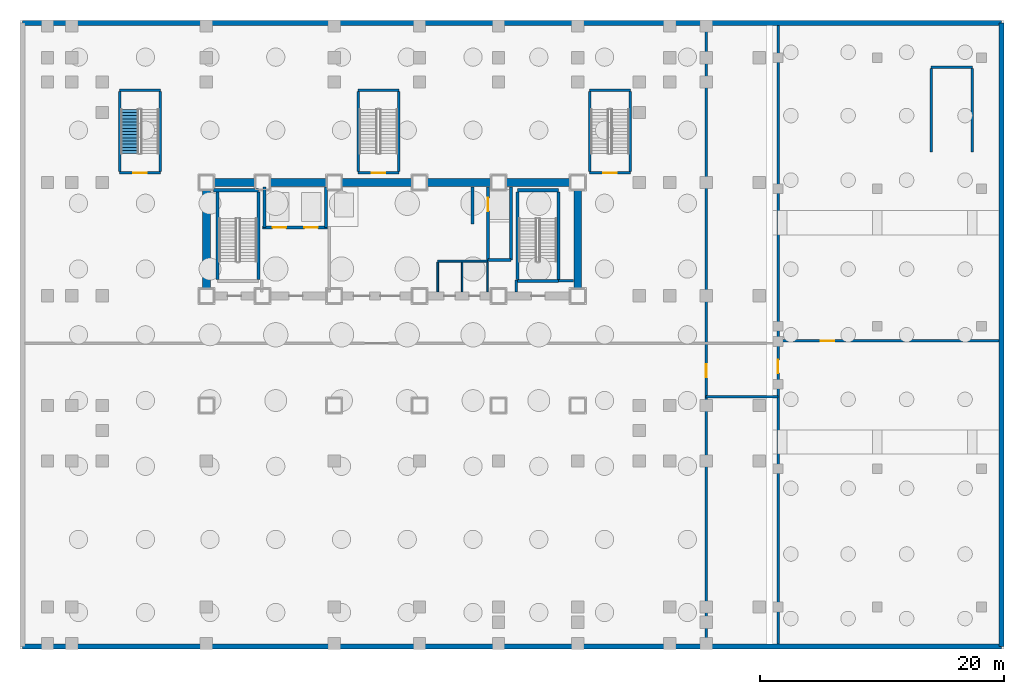
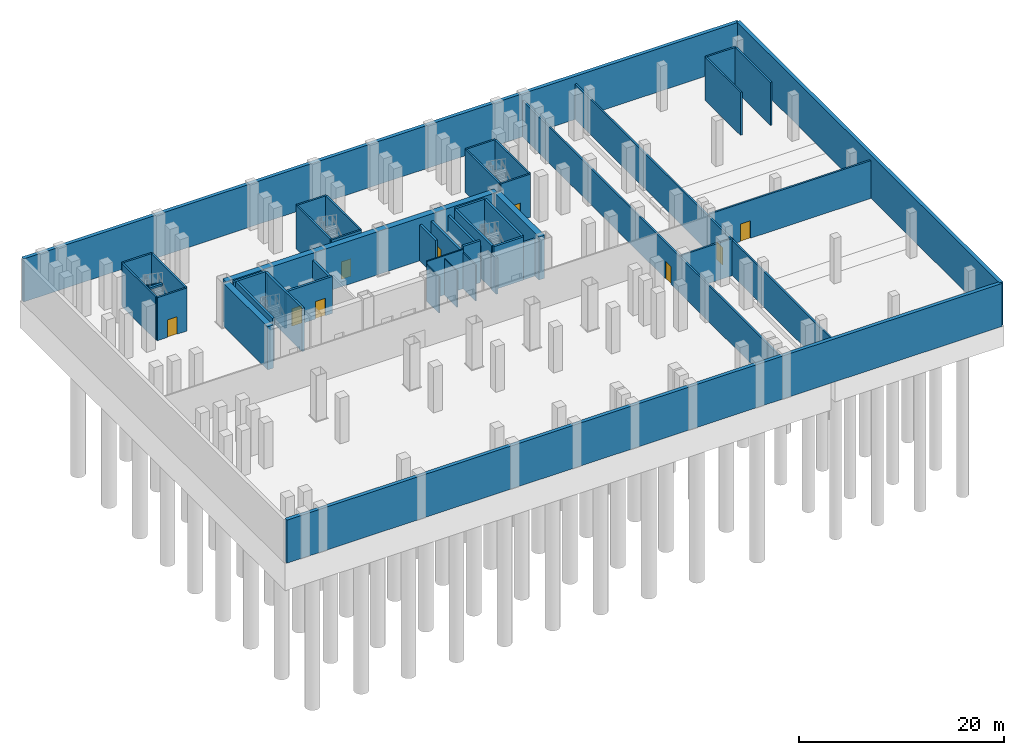
# One storey, part 4 of 8: 45 walls, 9 doors, 1 stair flight, 9 openings, 1 element without a shape of its own.
"""IFC4 building model written with IfcOpenShell, lengths in metres."""

from ifc_helpers import new_model, si_unit, direction, frame, frame_2d, origin, place, context, subcontext, project, spatial, polyline, rectangle, outline, extrude, material, layer, layer_set, type_object, element, fill, aggregate, save


model = new_model("IFC4")

# Units and contexts
model_context = context("Model", 3, precision=1e-05, world=origin(), true_north=direction((0.0, 1.0)))
body_context = subcontext(model_context, "Body", "Model", "MODEL_VIEW")
ifc_project = project(units=[si_unit("LENGTHUNIT", "METRE"), si_unit("AREAUNIT", "SQUARE_METRE"), si_unit("VOLUMEUNIT", "CUBIC_METRE"), si_unit("PLANEANGLEUNIT", "RADIAN"), si_unit("MASSUNIT", "GRAM", prefix="KILO")], contexts=[model_context])

# Site, building, storey
site_placement = place(None, origin())
site = spatial("IfcSite", under=ifc_project, at=site_placement, CompositionType="ELEMENT")
building_placement = place(site_placement, origin())
building = spatial("IfcBuilding", under=site, at=building_placement, Name="Noeulbin Bourse Tower", CompositionType="ELEMENT")
storey_placement = place(building_placement, frame((0.0, 0.0, -15.60009765625)))
storey = spatial("IfcBuildingStorey", under=building, at=storey_placement, Name="B03", CompositionType="ELEMENT", Elevation=-15.60009765625)

# Walls
ifc_material_1 = material(Name="Concrete C60/75", Category="concrete")
ifc_layer_1 = layer(ifc_material_1, 0.64990234375)
ifc_layer_set_1 = layer_set([ifc_layer_1], Name="Concrete C60/75")
wall_type_1 = type_object("IfcWallType", Name="WAL-CORE-650", PredefinedType="SHEAR", material=ifc_layer_set_1)
wall_1_placement = place(storey_placement, frame((13.5, 38.300048828125, 0.0), z_axis=(0.0, 0.0, 1.0), x_axis=(1.0, 0.0, 0.0)))
element("IfcWall", 1, at=wall_1_placement, inside=storey, type_object=wall_type_1, Name="Rear Core North Shear Wall B03", PredefinedType="SHEAR", context=body_context, shape_type="SweptSolid", body=[
    extrude(rectangle(XDim=30.5, YDim=0.64990234375, at=frame_2d((15.25, 0.0))), origin(), (0.0, 0.0, 1.0), 5.1201171875),
])
for number, where, z_axis, x_axis, name in (
    (2, (13.5, 29.35009765625, 0.0), (0.0, 0.0, 1.0), (0.0, 1.0, 0.0), "Rear Core West Shear Wall B03"),
    (3, (44.0, 29.35009765625, 0.0), (0.0, 0.0, 1.0), (0.0, 1.0, 0.0), "Rear Core East Shear Wall B03"),
):
    element("IfcWall", number, at=place(storey_placement, frame(where, z_axis=z_axis, x_axis=x_axis)), inside=storey, type_object=wall_type_1, Name=name, PredefinedType="SHEAR", context=body_context, shape_type="SweptSolid", body=[
        extrude(rectangle(XDim=8.599853515625, YDim=0.64990234375, at=frame_2d((4.2998046875, 0.0))), origin(), (0.0, 0.0, 1.0), 5.1201171875),
    ])
ifc_material_2 = material(Name="Concrete C40/50", Category="concrete")
ifc_layer_2 = layer(ifc_material_2, 0.199951171875)
ifc_layer_set_2 = layer_set([ifc_layer_2], Name="Concrete C40/50")
wall_type_2 = type_object("IfcWallType", Name="WAL-FIRE-200", PredefinedType="STANDARD", material=ifc_layer_set_2)
wall_2_placement = place(storey_placement, frame((73.02001953125, 47.760009765625, 0.0), z_axis=(0.0, 0.0, 1.0), x_axis=(1.0, 0.0, 0.0)))
element("IfcWall", 4, at=wall_2_placement, inside=storey, type_object=wall_type_2, Name="Stair MST2 Substructure Shear Pier N B03", PredefinedType="STANDARD", context=body_context, shape_type="SweptSolid", body=[
    extrude(rectangle(XDim=3.39990234375, YDim=0.199951171875, at=frame_2d((1.699951171875, 0.0))), origin(), (0.0, 0.0, 1.0), 5.1201171875),
])
for number, where, z_axis, x_axis, name in (
    (5, (73.0400390625, 40.800048828125, 0.0), (0.0, 0.0, 1.0), (0.0, 1.0, 0.0), "Stair MST2 Substructure Shear Pier W B03"),
    (6, (76.39990234375, 40.800048828125, 0.0), (0.0, 0.0, 1.0), (0.0, 1.0, 0.0), "Stair MST2 Substructure Shear Pier E B03"),
):
    element("IfcWall", number, at=place(storey_placement, frame(where, z_axis=z_axis, x_axis=x_axis)), inside=storey, type_object=wall_type_2, Name=name, PredefinedType="STANDARD", context=body_context, shape_type="SweptSolid", body=[
        extrude(rectangle(XDim=6.85986328125, YDim=0.199951171875, at=frame_2d((3.429931640625, 0.0))), origin(), (0.0, 0.0, 1.0), 5.1201171875),
    ])

# Wall, opening, door
wall_3_placement = place(storey_placement, frame((6.360107421875, 39.10009765625, 0.0), z_axis=(0.0, 0.0, 1.0), x_axis=(1.0, 0.0, 0.0)))
wall_3 = element("IfcWall", 7, at=wall_3_placement, inside=storey, type_object=wall_type_2, Name="Stair STS1 South Wall B03", PredefinedType="STANDARD", context=body_context, shape_type="SweptSolid", body=[
    extrude(rectangle(XDim=3.35986328125, YDim=0.199951171875, at=frame_2d((1.679931640625, 0.0))), origin(), (0.0, 0.0, 1.0), 5.1201171875),
])
opening_1_placement = place(wall_3_placement, frame((1.1298828125, 0.0, 0.0)))
opening_1 = element("IfcOpeningElement", 8, at=opening_1_placement, cuts=wall_3, Name="Opening FD-11", PredefinedType="OPENING", context=body_context, shape_type="SweptSolid", body=[
    extrude(rectangle(XDim=1.10009765625, YDim=2.080078125, at=frame_2d((0.550048828125, 1.0400390625))), frame((0.0, 0.10986328125, 0.0), z_axis=(0.0, -1.0, 0.0), x_axis=(1.0, 0.0, 0.0)), (0.0, 0.0, 1.0), 0.219970703125),
])
ifc_material_3 = material(Name="Fire-Rated Insulated Steel", Category="steel")
door_type_1 = type_object("IfcDoorType", Name="DR-FD60-1100", OperationType="SINGLE_SWING_LEFT", PredefinedType="DOOR", material=ifc_material_3)
door_1_placement = place(opening_1_placement, origin())
door_1 = element("IfcDoor", 9, at=door_1_placement, inside=storey, type_object=door_type_1, Name="Escape Stair Door STS1-B03", OperationType="SINGLE_SWING_RIGHT", OverallHeight=2.080078125, OverallWidth=1.10009765625, PredefinedType="DOOR", context=body_context, shape_type="SweptSolid", body=[
    extrude(rectangle(XDim=1.10009765625, YDim=2.080078125, at=frame_2d((0.550048828125, 1.0400390625))), frame((0.0, 0.02490234375, 0.0), z_axis=(0.0, -1.0, 0.0), x_axis=(1.0, 0.0, 0.0)), (0.0, 0.0, 1.0), 0.050048828125),
])
fill(opening_1, door_1)

# Walls
wall_4_placement = place(storey_placement, frame((6.360107421875, 45.8798828125, 0.0), z_axis=(0.0, 0.0, 1.0), x_axis=(1.0, 0.0, 0.0)))
element("IfcWall", 10, at=wall_4_placement, inside=storey, type_object=wall_type_2, Name="Stair STS1 North Wall B03", PredefinedType="STANDARD", context=body_context, shape_type="SweptSolid", body=[
    extrude(rectangle(XDim=3.35986328125, YDim=0.199951171875, at=frame_2d((1.679931640625, 0.0))), origin(), (0.0, 0.0, 1.0), 5.1201171875),
])
for number, where, z_axis, x_axis, name in (
    (11, (6.3798828125, 39.199951171875, 0.0), (0.0, 0.0, 1.0), (0.0, 1.0, 0.0), "Stair STS1 West Wall B03"),
    (12, (9.699951171875, 39.199951171875, 0.0), (0.0, 0.0, 1.0), (0.0, 1.0, 0.0), "Stair STS1 East Wall B03"),
):
    element("IfcWall", number, at=place(storey_placement, frame(where, z_axis=z_axis, x_axis=x_axis)), inside=storey, type_object=wall_type_2, Name=name, PredefinedType="STANDARD", context=body_context, shape_type="SweptSolid", body=[
        extrude(rectangle(XDim=6.580078125, YDim=0.199951171875, at=frame_2d((3.2900390625, 0.0))), origin(), (0.0, 0.0, 1.0), 5.1201171875),
    ])

# Wall, opening, door
wall_5_placement = place(storey_placement, frame((25.9599609375, 39.10009765625, 0.0), z_axis=(0.0, 0.0, 1.0), x_axis=(1.0, 0.0, 0.0)))
wall_5 = element("IfcWall", 13, at=wall_5_placement, inside=storey, type_object=wall_type_2, Name="Stair STS2 South Wall B03", PredefinedType="STANDARD", context=body_context, shape_type="SweptSolid", body=[
    extrude(rectangle(XDim=3.360107421875, YDim=0.199951171875, at=frame_2d((1.68017578125, 0.0))), origin(), (0.0, 0.0, 1.0), 5.1201171875),
])
opening_2_placement = place(wall_5_placement, frame((1.1298828125, 0.0, 0.0)))
opening_2 = element("IfcOpeningElement", 14, at=opening_2_placement, cuts=wall_5, Name="Opening FD-11", PredefinedType="OPENING", context=body_context, shape_type="SweptSolid", body=[
    extrude(rectangle(XDim=1.10009765625, YDim=2.080078125, at=frame_2d((0.550048828125, 1.0400390625))), frame((0.0, 0.10986328125, 0.0), z_axis=(0.0, -1.0, 0.0), x_axis=(1.0, 0.0, 0.0)), (0.0, 0.0, 1.0), 0.219970703125),
])
door_2_placement = place(opening_2_placement, origin())
door_2 = element("IfcDoor", 15, at=door_2_placement, inside=storey, type_object=door_type_1, Name="Escape Stair Door STS2-B03", OperationType="SINGLE_SWING_RIGHT", OverallHeight=2.080078125, OverallWidth=1.10009765625, PredefinedType="DOOR", context=body_context, shape_type="SweptSolid", body=[
    extrude(rectangle(XDim=1.10009765625, YDim=2.080078125, at=frame_2d((0.550048828125, 1.0400390625))), frame((0.0, 0.02490234375, 0.0), z_axis=(0.0, -1.0, 0.0), x_axis=(1.0, 0.0, 0.0)), (0.0, 0.0, 1.0), 0.050048828125),
])
fill(opening_2, door_2)

# Walls
wall_6_placement = place(storey_placement, frame((25.9599609375, 45.8798828125, 0.0), z_axis=(0.0, 0.0, 1.0), x_axis=(1.0, 0.0, 0.0)))
element("IfcWall", 16, at=wall_6_placement, inside=storey, type_object=wall_type_2, Name="Stair STS2 North Wall B03", PredefinedType="STANDARD", context=body_context, shape_type="SweptSolid", body=[
    extrude(rectangle(XDim=3.360107421875, YDim=0.199951171875, at=frame_2d((1.68017578125, 0.0))), origin(), (0.0, 0.0, 1.0), 5.1201171875),
])
for number, where, z_axis, x_axis, name in (
    (17, (25.97998046875, 39.199951171875, 0.0), (0.0, 0.0, 1.0), (0.0, 1.0, 0.0), "Stair STS2 West Wall B03"),
    (18, (29.300048828125, 39.199951171875, 0.0), (0.0, 0.0, 1.0), (0.0, 1.0, 0.0), "Stair STS2 East Wall B03"),
):
    element("IfcWall", number, at=place(storey_placement, frame(where, z_axis=z_axis, x_axis=x_axis)), inside=storey, type_object=wall_type_2, Name=name, PredefinedType="STANDARD", context=body_context, shape_type="SweptSolid", body=[
        extrude(rectangle(XDim=6.580078125, YDim=0.199951171875, at=frame_2d((3.2900390625, 0.0))), origin(), (0.0, 0.0, 1.0), 5.1201171875),
    ])

# Wall, opening, door
wall_7_placement = place(storey_placement, frame((44.9599609375, 39.10009765625, 0.0), z_axis=(0.0, 0.0, 1.0), x_axis=(1.0, 0.0, 0.0)))
wall_7 = element("IfcWall", 19, at=wall_7_placement, inside=storey, type_object=wall_type_2, Name="Stair STS3 South Wall B03", PredefinedType="STANDARD", context=body_context, shape_type="SweptSolid", body=[
    extrude(rectangle(XDim=3.360107421875, YDim=0.199951171875, at=frame_2d((1.68017578125, 0.0))), origin(), (0.0, 0.0, 1.0), 5.1201171875),
])
opening_3_placement = place(wall_7_placement, frame((1.1298828125, 0.0, 0.0)))
opening_3 = element("IfcOpeningElement", 20, at=opening_3_placement, cuts=wall_7, Name="Opening FD-11", PredefinedType="OPENING", context=body_context, shape_type="SweptSolid", body=[
    extrude(rectangle(XDim=1.10009765625, YDim=2.080078125, at=frame_2d((0.550048828125, 1.0400390625))), frame((0.0, 0.10986328125, 0.0), z_axis=(0.0, -1.0, 0.0), x_axis=(1.0, 0.0, 0.0)), (0.0, 0.0, 1.0), 0.219970703125),
])
door_3_placement = place(opening_3_placement, origin())
door_3 = element("IfcDoor", 21, at=door_3_placement, inside=storey, type_object=door_type_1, Name="Escape Stair Door STS3-B03", OperationType="SINGLE_SWING_RIGHT", OverallHeight=2.080078125, OverallWidth=1.10009765625, PredefinedType="DOOR", context=body_context, shape_type="SweptSolid", body=[
    extrude(rectangle(XDim=1.10009765625, YDim=2.080078125, at=frame_2d((0.550048828125, 1.0400390625))), frame((0.0, 0.02490234375, 0.0), z_axis=(0.0, -1.0, 0.0), x_axis=(1.0, 0.0, 0.0)), (0.0, 0.0, 1.0), 0.050048828125),
])
fill(opening_3, door_3)

# Walls
wall_8_placement = place(storey_placement, frame((44.9599609375, 45.8798828125, 0.0), z_axis=(0.0, 0.0, 1.0), x_axis=(1.0, 0.0, 0.0)))
element("IfcWall", 22, at=wall_8_placement, inside=storey, type_object=wall_type_2, Name="Stair STS3 North Wall B03", PredefinedType="STANDARD", context=body_context, shape_type="SweptSolid", body=[
    extrude(rectangle(XDim=3.360107421875, YDim=0.199951171875, at=frame_2d((1.68017578125, 0.0))), origin(), (0.0, 0.0, 1.0), 5.1201171875),
])
for number, where, z_axis, x_axis, name in (
    (23, (44.97998046875, 39.199951171875, 0.0), (0.0, 0.0, 1.0), (0.0, 1.0, 0.0), "Stair STS3 West Wall B03"),
    (24, (48.300048828125, 39.199951171875, 0.0), (0.0, 0.0, 1.0), (0.0, 1.0, 0.0), "Stair STS3 East Wall B03"),
):
    element("IfcWall", number, at=place(storey_placement, frame(where, z_axis=z_axis, x_axis=x_axis)), inside=storey, type_object=wall_type_2, Name=name, PredefinedType="STANDARD", context=body_context, shape_type="SweptSolid", body=[
        extrude(rectangle(XDim=6.580078125, YDim=0.199951171875, at=frame_2d((3.2900390625, 0.0))), origin(), (0.0, 0.0, 1.0), 5.1201171875),
    ])
wall_9_placement = place(storey_placement, frame((54.550048828125, 20.699951171875, 0.0), z_axis=(0.0, 0.0, 1.0), x_axis=(1.0, 0.0, 0.0)))
element("IfcWall", 25, at=wall_9_placement, inside=storey, type_object=wall_type_2, Name="Interior Partition Wall B03-02", PredefinedType="STANDARD", context=body_context, shape_type="SweptSolid", body=[
    extrude(rectangle(XDim=5.89990234375, YDim=0.199951171875, at=frame_2d((2.949951171875, 0.0))), origin(), (0.0, 0.0, 1.0), 4.400146484375),
])

# Wall, opening, door
wall_10_placement = place(storey_placement, frame((60.449951171875, 25.300048828125, 0.0), z_axis=(0.0, 0.0, 1.0), x_axis=(1.0, 0.0, 0.0)))
wall_10 = element("IfcWall", 26, at=wall_10_placement, inside=storey, type_object=wall_type_2, Name="Interior Partition Wall B03-03", PredefinedType="STANDARD", context=body_context, shape_type="SweptSolid", body=[
    extrude(rectangle(XDim=18.150146484375, YDim=0.199951171875, at=frame_2d((9.0751953125, 0.0))), origin(), (0.0, 0.0, 1.0), 4.5),
])
opening_4_placement = place(wall_10_placement, frame((3.5, 0.0, 0.0)))
opening_4 = element("IfcOpeningElement", 27, at=opening_4_placement, cuts=wall_10, Name="Opening FD-11", PredefinedType="OPENING", context=body_context, shape_type="SweptSolid", body=[
    extrude(rectangle(XDim=1.10009765625, YDim=2.080078125, at=frame_2d((0.550048828125, 1.0400390625))), frame((0.0, 0.10986328125, 0.0), z_axis=(0.0, -1.0, 0.0), x_axis=(1.0, 0.0, 0.0)), (0.0, 0.0, 1.0), 0.219970703125),
])
door_4_placement = place(opening_4_placement, origin())
door_4 = element("IfcDoor", 28, at=door_4_placement, inside=storey, type_object=door_type_1, Name="Interior Door B03-04", OperationType="SINGLE_SWING_LEFT", OverallHeight=2.080078125, OverallWidth=1.10009765625, PredefinedType="DOOR", context=body_context, shape_type="SweptSolid", body=[
    extrude(rectangle(XDim=1.10009765625, YDim=2.080078125, at=frame_2d((0.550048828125, 1.0400390625))), frame((0.0, 0.02490234375, 0.0), z_axis=(0.0, -1.0, 0.0), x_axis=(1.0, 0.0, 0.0)), (0.0, 0.0, 1.0), 0.050048828125),
])
fill(opening_4, door_4)

# Wall
wall_11_placement = place(storey_placement, frame((42.39990234375, 30.239990234375, 0.0), z_axis=(0.0, 0.0, 1.0), x_axis=(1.0, 0.0, 0.0)))
element("IfcWall", 29, at=wall_11_placement, inside=storey, type_object=wall_type_2, Name="Interior Partition Wall B03-04", PredefinedType="STANDARD", context=body_context, shape_type="SweptSolid", body=[
    extrude(rectangle(XDim=1.26513671875, YDim=0.199951171875, at=frame_2d((0.632568359375, 0.0))), origin(), (0.0, 0.0, 1.0), 4.400146484375),
])

# Wall, opening, door
wall_12_placement = place(storey_placement, frame((54.550048828125, 0.39990234375, 0.0), z_axis=(0.0, 0.0, 1.0), x_axis=(0.0, 1.0, 0.0)))
wall_12 = element("IfcWall", 30, at=wall_12_placement, inside=storey, type_object=wall_type_2, Name="Interior Partition Wall B03-06", PredefinedType="STANDARD", context=body_context, shape_type="SweptSolid", body=[
    extrude(rectangle(XDim=50.800048828125, YDim=0.199951171875, at=frame_2d((25.39990234375, 0.0))), origin(), (0.0, 0.0, 1.0), 4.300048828125),
])
opening_5_placement = place(wall_12_placement, frame((21.89990234375, 0.0, 0.0)))
opening_5 = element("IfcOpeningElement", 31, at=opening_5_placement, cuts=wall_12, Name="Opening FD-11", PredefinedType="OPENING", context=body_context, shape_type="SweptSolid", body=[
    extrude(rectangle(XDim=1.10009765625, YDim=2.080078125, at=frame_2d((0.550048828125, 1.0400390625))), frame((0.0, 0.10986328125, 0.0), z_axis=(0.0, -1.0, 0.0), x_axis=(1.0, 0.0, 0.0)), (0.0, 0.0, 1.0), 0.219970703125),
])
door_5_placement = place(opening_5_placement, origin())
door_5 = element("IfcDoor", 32, at=door_5_placement, inside=storey, type_object=door_type_1, Name="Interior Door B03-02", OperationType="SINGLE_SWING_LEFT", OverallHeight=2.080078125, OverallWidth=1.10009765625, PredefinedType="DOOR", context=body_context, shape_type="SweptSolid", body=[
    extrude(rectangle(XDim=1.10009765625, YDim=2.080078125, at=frame_2d((0.550048828125, 1.0400390625))), frame((0.0, 0.02490234375, 0.0), z_axis=(0.0, -1.0, 0.0), x_axis=(1.0, 0.0, 0.0)), (0.0, 0.0, 1.0), 0.050048828125),
])
fill(opening_5, door_5)

wall_13_placement = place(storey_placement, frame((60.449951171875, 0.39990234375, 0.0), z_axis=(0.0, 0.0, 1.0), x_axis=(0.0, 1.0, 0.0)))
wall_13 = element("IfcWall", 33, at=wall_13_placement, inside=storey, type_object=wall_type_2, Name="Interior Partition Wall B03-07", PredefinedType="STANDARD", context=body_context, shape_type="SweptSolid", body=[
    extrude(rectangle(XDim=50.800048828125, YDim=0.199951171875, at=frame_2d((25.39990234375, 0.0))), origin(), (0.0, 0.0, 1.0), 4.2001953125),
])
opening_6_placement = place(wall_13_placement, frame((22.25, 0.0, 0.0)))
opening_6 = element("IfcOpeningElement", 34, at=opening_6_placement, cuts=wall_13, Name="Opening FD-11", PredefinedType="OPENING", context=body_context, shape_type="SweptSolid", body=[
    extrude(rectangle(XDim=1.10009765625, YDim=2.080078125, at=frame_2d((0.550048828125, 1.0400390625))), frame((0.0, 0.10986328125, 0.0), z_axis=(0.0, -1.0, 0.0), x_axis=(1.0, 0.0, 0.0)), (0.0, 0.0, 1.0), 0.219970703125),
])
door_6_placement = place(opening_6_placement, origin())
door_6 = element("IfcDoor", 35, at=door_6_placement, inside=storey, type_object=door_type_1, Name="Interior Door B03-03", OperationType="SINGLE_SWING_RIGHT", OverallHeight=2.080078125, OverallWidth=1.10009765625, PredefinedType="DOOR", context=body_context, shape_type="SweptSolid", body=[
    extrude(rectangle(XDim=1.10009765625, YDim=2.080078125, at=frame_2d((0.550048828125, 1.0400390625))), frame((0.0, 0.02490234375, 0.0), z_axis=(0.0, -1.0, 0.0), x_axis=(1.0, 0.0, 0.0)), (0.0, 0.0, 1.0), 0.050048828125),
])
fill(opening_6, door_6)

# Walls
wall_14_placement = place(storey_placement, frame((38.949951171875, 29.3349609375, 0.0), z_axis=(0.0, 0.0, 1.0), x_axis=(0.0, 1.0, 0.0)))
element("IfcWall", 36, at=wall_14_placement, inside=storey, type_object=wall_type_2, Name="Interior Partition Wall B03-09", PredefinedType="STANDARD", context=body_context, shape_type="SweptSolid", body=[
    extrude(rectangle(XDim=0.965087890625, YDim=0.199951171875, at=frame_2d((0.482421875, 0.0))), origin(), (0.0, 0.0, 1.0), 4.300048828125),
])
ifc_material_4 = material(Name="Steel Stud Gypsum Partition", Category="steel")
ifc_layer_3 = layer(ifc_material_4, 0.1201171875)
ifc_layer_set_3 = layer_set([ifc_layer_3], Name="Steel Stud Gypsum Partition")
wall_type_3 = type_object("IfcWallType", Name="WAL-PRT-120", PredefinedType="PARTITIONING", material=ifc_layer_set_3)
for number, where, z_axis, x_axis, name in (
    (37, (36.60009765625, 29.3349609375, 0.0), (0.0, 0.0, 1.0), (0.0, 1.0, 0.0), "Interior Partition Wall B03-12"),
    (38, (34.5, 29.3349609375, 0.0), (0.0, 0.0, 1.0), (0.0, 1.0, 0.0), "Interior Partition Wall B03-13"),
):
    element("IfcWall", number, at=place(storey_placement, frame(where, z_axis=z_axis, x_axis=x_axis)), inside=storey, type_object=wall_type_3, Name=name, PredefinedType="PARTITIONING", context=body_context, shape_type="SweptSolid", body=[
        extrude(rectangle(XDim=2.429931640625, YDim=0.1201171875, at=frame_2d((1.21484375, 0.0))), origin(), (0.0, 0.0, 1.0), 4.300048828125),
    ])
ifc_material_5 = material(Name="Steel Stud Acoustic Gypsum Board", Category="steel")
ifc_layer_4 = layer(ifc_material_5, 0.14990234375)
ifc_layer_set_4 = layer_set([ifc_layer_4], Name="Steel Stud Acoustic Gypsum Board")
wall_type_4 = type_object("IfcWallType", Name="WAL-PRT-150", PredefinedType="PARTITIONING", material=ifc_layer_set_4)
wall_15_placement = place(storey_placement, frame((32.5, 31.85009765625, 0.0), z_axis=(0.0, 0.0, 1.0), x_axis=(1.0, 0.0, 0.0)))
element("IfcWall", 39, at=wall_15_placement, inside=storey, type_object=wall_type_4, Name="Interior Partition Wall B03-05", PredefinedType="PARTITIONING", context=body_context, shape_type="SweptSolid", body=[
    extrude(rectangle(XDim=4.10009765625, YDim=0.14990234375, at=frame_2d((2.050048828125, 0.0))), origin(), (0.0, 0.0, 1.0), 4.650146484375),
])
wall_16_placement = place(storey_placement, frame((32.5, 29.3349609375, 0.0), z_axis=(0.0, 0.0, 1.0), x_axis=(0.0, 1.0, 0.0)))
element("IfcWall", 40, at=wall_16_placement, inside=storey, type_object=wall_type_4, Name="Interior Partition Wall B03-11", PredefinedType="PARTITIONING", context=body_context, shape_type="SweptSolid", body=[
    extrude(rectangle(XDim=2.429931640625, YDim=0.14990234375, at=frame_2d((1.21484375, 0.0))), origin(), (0.0, 0.0, 1.0), 4.300048828125),
])
ifc_material_6 = material(Name="Concrete C50/60", Category="concrete")
ifc_layer_5 = layer(ifc_material_6, 0.39990234375)
ifc_layer_set_5 = layer_set([ifc_layer_5], Name="Concrete C50/60")
wall_type_5 = type_object("IfcWallType", Name="WAL-RET-400", PredefinedType="SOLIDWALL", material=ifc_layer_set_5)
wall_17_placement = place(storey_placement, frame((-1.60009765625, 0.199951171875, 0.0), z_axis=(0.0, 0.0, 1.0), x_axis=(1.0, 0.0, 0.0)))
element("IfcWall", 41, at=wall_17_placement, inside=storey, type_object=wall_type_5, Name="Basement Perimeter Retaining Wall B03-S", PredefinedType="SOLIDWALL", context=body_context, shape_type="SweptSolid", body=[
    extrude(rectangle(XDim=80.400146484375, YDim=0.39990234375, at=frame_2d((40.2001953125, 0.0))), origin(), (0.0, 0.0, 1.0), 5.1201171875),
])
wall_18_placement = place(storey_placement, frame((78.800048828125, 0.199951171875, 0.0), z_axis=(0.0, 0.0, 1.0), x_axis=(0.0, 1.0, 0.0)))
element("IfcWall", 42, at=wall_18_placement, inside=storey, type_object=wall_type_5, Name="Basement Perimeter Retaining Wall B03-E", PredefinedType="SOLIDWALL", context=body_context, shape_type="SweptSolid", body=[
    extrude(rectangle(XDim=51.199951171875, YDim=0.39990234375, at=frame_2d((25.60009765625, 0.0))), origin(), (0.0, 0.0, 1.0), 5.1201171875),
])
wall_19_placement = place(storey_placement, frame((78.800048828125, 51.39990234375, 0.0), z_axis=(0.0, 0.0, 1.0), x_axis=(-1.0, 0.0, 0.0)))
element("IfcWall", 43, at=wall_19_placement, inside=storey, type_object=wall_type_5, Name="Basement Perimeter Retaining Wall B03-N", PredefinedType="SOLIDWALL", context=body_context, shape_type="SweptSolid", body=[
    extrude(rectangle(XDim=80.400146484375, YDim=0.39990234375, at=frame_2d((40.2001953125, 0.0))), origin(), (0.0, 0.0, 1.0), 5.1201171875),
])
ifc_layer_6 = layer(ifc_material_2, 0.25)
ifc_layer_set_6 = layer_set([ifc_layer_6], Name="Concrete C40/50")
wall_type_6 = type_object("IfcWallType", Name="WAL-SHFT-250", PredefinedType="STANDARD", material=ifc_layer_set_6)
wall_20_placement = place(storey_placement, frame((14.10009765625, 37.6689453125, 0.0), z_axis=(0.0, 0.0, 1.0), x_axis=(1.0, 0.0, 0.0)))
element("IfcWall", 44, at=wall_20_placement, inside=storey, type_object=wall_type_6, Name="Stair ST-1 North Shaft Wall B03", PredefinedType="STANDARD", context=body_context, shape_type="SweptSolid", body=[
    extrude(rectangle(XDim=3.669921875, YDim=0.25, at=frame_2d((1.8349609375, 0.0))), origin(), (0.0, 0.0, 1.0), 5.1201171875),
])
for number, where, z_axis, x_axis, name in (
    (45, (14.425048828125, 30.360107421875, 0.0), (0.0, 0.0, 1.0), (0.0, 1.0, 0.0), "Stair ST-1 West Shaft Wall B03"),
    (46, (17.77490234375, 30.360107421875, 0.0), (0.0, 0.0, 1.0), (0.0, 1.0, 0.0), "Stair ST-1 East Shaft Wall B03"),
):
    element("IfcWall", number, at=place(storey_placement, frame(where, z_axis=z_axis, x_axis=x_axis)), inside=storey, type_object=wall_type_6, Name=name, PredefinedType="STANDARD", context=body_context, shape_type="SweptSolid", body=[
        extrude(rectangle(XDim=7.183837890625, YDim=0.25, at=frame_2d((3.591796875, 0.0))), origin(), (0.0, 0.0, 1.0), 5.1201171875),
    ])
for number, where, z_axis, x_axis, name in (
    (47, (39.06005859375, 30.235107421875, 0.0), (0.0, 0.0, 1.0), (1.0, 0.0, 0.0), "Stair ST-2 South Shaft Wall B03"),
    (48, (39.06005859375, 37.6689453125, 0.0), (0.0, 0.0, 1.0), (1.0, 0.0, 0.0), "Stair ST-2 North Shaft Wall B03"),
):
    element("IfcWall", number, at=place(storey_placement, frame(where, z_axis=z_axis, x_axis=x_axis)), inside=storey, type_object=wall_type_6, Name=name, PredefinedType="STANDARD", context=body_context, shape_type="SweptSolid", body=[
        extrude(rectangle(XDim=3.33984375, YDim=0.25, at=frame_2d((1.669921875, 0.0))), origin(), (0.0, 0.0, 1.0), 5.1201171875),
    ])
for number, where, z_axis, x_axis, name in (
    (49, (39.054931640625, 30.360107421875, 0.0), (0.0, 0.0, 1.0), (0.0, 1.0, 0.0), "Stair ST-2 West Shaft Wall B03"),
    (50, (42.405029296875, 30.360107421875, 0.0), (0.0, 0.0, 1.0), (0.0, 1.0, 0.0), "Stair ST-2 East Shaft Wall B03"),
):
    element("IfcWall", number, at=place(storey_placement, frame(where, z_axis=z_axis, x_axis=x_axis)), inside=storey, type_object=wall_type_6, Name=name, PredefinedType="STANDARD", context=body_context, shape_type="SweptSolid", body=[
        extrude(rectangle(XDim=7.183837890625, YDim=0.25, at=frame_2d((3.591796875, 0.0))), origin(), (0.0, 0.0, 1.0), 5.1201171875),
    ])

# Wall, openings, doors
wall_21_placement = place(storey_placement, frame((18.10009765625, 34.6201171875, 0.0), z_axis=(0.0, 0.0, 1.0), x_axis=(1.0, 0.0, 0.0)))
wall_21 = element("IfcWall", 51, at=wall_21_placement, inside=storey, type_object=wall_type_6, Name="Firefighting Lift Shaft Front B03", PredefinedType="STANDARD", context=body_context, shape_type="SweptSolid", body=[
    extrude(rectangle(XDim=5.349853515625, YDim=0.25, at=frame_2d((2.6748046875, 0.0))), origin(), (0.0, 0.0, 1.0), 4.400146484375),
])
opening_7_placement = place(wall_21_placement, frame((0.85009765625, 0.0, 0.0)))
opening_7 = element("IfcOpeningElement", 52, at=opening_7_placement, cuts=wall_21, Name="Opening LD-11", PredefinedType="OPENING", context=body_context, shape_type="SweptSolid", body=[
    extrude(rectangle(XDim=1.10009765625, YDim=2.080078125, at=frame_2d((0.550048828125, 1.0400390625))), frame((0.0, 0.135009765625, 0.0), z_axis=(0.0, -1.0, 0.0), x_axis=(1.0, 0.0, 0.0)), (0.0, 0.0, 1.0), 0.27001953125),
])
opening_8_placement = place(wall_21_placement, frame((3.449951171875, 0.0, 0.0)))
opening_8 = element("IfcOpeningElement", 53, at=opening_8_placement, cuts=wall_21, Name="Opening LD-11", PredefinedType="OPENING", context=body_context, shape_type="SweptSolid", body=[
    extrude(rectangle(XDim=1.10009765625, YDim=2.080078125, at=frame_2d((0.550048828125, 1.0400390625))), frame((0.0, 0.135009765625, 0.0), z_axis=(0.0, -1.0, 0.0), x_axis=(1.0, 0.0, 0.0)), (0.0, 0.0, 1.0), 0.27001953125),
])
ifc_material_7 = material(Name="Brushed Stainless Steel 316", Category="steel")
door_type_2 = type_object("IfcDoorType", Name="DR-LIFT-1100", OperationType="SLIDING_TO_LEFT", PredefinedType="DOOR", material=ifc_material_7)
door_7_placement = place(opening_7_placement, origin())
door_7 = element("IfcDoor", 54, at=door_7_placement, inside=storey, type_object=door_type_2, Name="Lift Landing Door LD-FL-01-B03", OperationType="SLIDING_TO_LEFT", OverallHeight=2.080078125, OverallWidth=1.10009765625, PredefinedType="DOOR", context=body_context, shape_type="SweptSolid", body=[
    extrude(rectangle(XDim=1.10009765625, YDim=2.080078125, at=frame_2d((0.550048828125, 1.0400390625))), frame((0.0, 0.02490234375, 0.0), z_axis=(0.0, -1.0, 0.0), x_axis=(1.0, 0.0, 0.0)), (0.0, 0.0, 1.0), 0.050048828125),
])
fill(opening_7, door_7)
door_8_placement = place(opening_8_placement, origin())
door_8 = element("IfcDoor", 55, at=door_8_placement, inside=storey, type_object=door_type_2, Name="Lift Landing Door LD-FL-02-B03", OperationType="SLIDING_TO_LEFT", OverallHeight=2.080078125, OverallWidth=1.10009765625, PredefinedType="DOOR", context=body_context, shape_type="SweptSolid", body=[
    extrude(rectangle(XDim=1.10009765625, YDim=2.080078125, at=frame_2d((0.550048828125, 1.0400390625))), frame((0.0, 0.02490234375, 0.0), z_axis=(0.0, -1.0, 0.0), x_axis=(1.0, 0.0, 0.0)), (0.0, 0.0, 1.0), 0.050048828125),
])
fill(opening_8, door_8)

# Wall, opening, door
wall_22_placement = place(storey_placement, frame((36.6201171875, 31.949951171875, 0.0), z_axis=(0.0, 0.0, 1.0), x_axis=(0.0, 1.0, 0.0)))
wall_22 = element("IfcWall", 56, at=wall_22_placement, inside=storey, type_object=wall_type_6, Name="Service Lift Shaft Wall B03", PredefinedType="STANDARD", context=body_context, shape_type="SweptSolid", body=[
    extrude(rectangle(XDim=6.0, YDim=0.25, at=frame_2d((3.0, 0.0))), origin(), (0.0, 0.0, 1.0), 4.300048828125),
])
opening_9_placement = place(wall_22_placement, frame((4.0, 0.0, 0.0)))
opening_9 = element("IfcOpeningElement", 57, at=opening_9_placement, cuts=wall_22, Name="Opening LD-11", PredefinedType="OPENING", context=body_context, shape_type="SweptSolid", body=[
    extrude(rectangle(XDim=1.10009765625, YDim=2.080078125, at=frame_2d((0.550048828125, 1.0400390625))), frame((0.0, 0.135009765625, 0.0), z_axis=(0.0, -1.0, 0.0), x_axis=(1.0, 0.0, 0.0)), (0.0, 0.0, 1.0), 0.27001953125),
])
door_9_placement = place(opening_9_placement, origin())
door_9 = element("IfcDoor", 58, at=door_9_placement, inside=storey, type_object=door_type_2, Name="Lift Landing Door LD-SV-01-B03", OperationType="SLIDING_TO_LEFT", OverallHeight=2.080078125, OverallWidth=1.10009765625, PredefinedType="DOOR", context=body_context, shape_type="SweptSolid", body=[
    extrude(rectangle(XDim=1.10009765625, YDim=2.080078125, at=frame_2d((0.550048828125, 1.0400390625))), frame((0.0, 0.02490234375, 0.0), z_axis=(0.0, -1.0, 0.0), x_axis=(1.0, 0.0, 0.0)), (0.0, 0.0, 1.0), 0.050048828125),
])
fill(opening_9, door_9)

# Walls
wall_23_placement = place(storey_placement, frame((38.52001953125, 31.949951171875, 0.0), z_axis=(0.0, 0.0, 1.0), x_axis=(0.0, 1.0, 0.0)))
element("IfcWall", 59, at=wall_23_placement, inside=storey, type_object=wall_type_6, Name="Service Lift East Shaft Wall B03", PredefinedType="STANDARD", context=body_context, shape_type="SweptSolid", body=[
    extrude(rectangle(XDim=6.0, YDim=0.25, at=frame_2d((3.0, 0.0))), origin(), (0.0, 0.0, 1.0), 4.300048828125),
])
wall_24_placement = place(storey_placement, frame((36.6201171875, 31.949951171875, 0.0), z_axis=(0.0, 0.0, 1.0), x_axis=(1.0, 0.0, 0.0)))
element("IfcWall", 60, at=wall_24_placement, inside=storey, type_object=wall_type_6, Name="Service Lift South Shaft Wall B03", PredefinedType="STANDARD", context=body_context, shape_type="SweptSolid", body=[
    extrude(rectangle(XDim=1.89990234375, YDim=0.25, at=frame_2d((0.949951171875, 0.0))), origin(), (0.0, 0.0, 1.0), 4.97998046875),
])
for number, where, z_axis, x_axis, name in (
    (61, (18.280029296875, 34.6201171875, 0.0), (0.0, 0.0, 1.0), (0.0, 1.0, 0.0), "Firefighting Lift West Shaft Wall B03"),
    (62, (23.320068359375, 34.6201171875, 0.0), (0.0, 0.0, 1.0), (0.0, 1.0, 0.0), "Firefighting Lift East Shaft Wall B03"),
):
    element("IfcWall", number, at=place(storey_placement, frame(where, z_axis=z_axis, x_axis=x_axis)), inside=storey, type_object=wall_type_6, Name=name, PredefinedType="STANDARD", context=body_context, shape_type="SweptSolid", body=[
        extrude(rectangle(XDim=3.329833984375, YDim=0.25, at=frame_2d((1.6650390625, 0.0))), origin(), (0.0, 0.0, 1.0), 4.300048828125),
    ])
wall_25_placement = place(storey_placement, frame((35.360107421875, 34.89990234375, 0.0), z_axis=(0.0, 0.0, 1.0), x_axis=(0.0, 1.0, 0.0)))
element("IfcWall", 63, at=wall_25_placement, inside=storey, type_object=wall_type_6, Name="High-Rise Lift East Shaft Wall B03", PredefinedType="STANDARD", context=body_context, shape_type="SweptSolid", body=[
    extrude(rectangle(XDim=3.050048828125, YDim=0.25, at=frame_2d((1.52490234375, 0.0))), origin(), (0.0, 0.0, 1.0), 4.300048828125),
])

# Stair, stair flight
stair_type = type_object("IfcStairType", Name="STR-AUX-1620", PredefinedType="HALF_TURN_STAIR", material=ifc_material_2)
stair_placement = place(storey_placement, origin())
stair = element("IfcStair", 64, at=stair_placement, inside=storey, type_object=stair_type, Name="B03 ST-S1", PredefinedType="HALF_TURN_STAIR")
stair_flight_type = type_object("IfcStairFlightType", Name="SFL-AUX-1620", PredefinedType="STRAIGHT", material=ifc_material_2)
stair_flight_placement = place(storey_placement, frame((7.2099609375, 44.320068359375, 2.7001953125), z_axis=(0.0, 0.0, 1.0), x_axis=(0.0, -1.0, 0.0)))
stair_flight = element("IfcStairFlight", 65, at=stair_flight_placement, type_object=stair_flight_type, Name="ST-S1 flight 2", NumberOfRisers=15, NumberOfTreads=14, PredefinedType="STRAIGHT", RiserHeight=0.18, TreadLength=0.26, context=body_context, shape_type="SweptSolid", body=[
    extrude(outline(polyline([(0.0, 0.0), (0.0, 0.179931640625), (0.260009765625, 0.179931640625), (0.260009765625, 0.360107421875), (0.52001953125, 0.360107421875), (0.52001953125, 0.5400390625), (0.780029296875, 0.5400390625), (0.780029296875, 0.719970703125), (1.0400390625, 0.719970703125), (1.0400390625, 0.89990234375), (1.300048828125, 0.89990234375), (1.300048828125, 1.080078125), (1.56005859375, 1.080078125), (1.56005859375, 1.260009765625), (1.820068359375, 1.260009765625), (1.820068359375, 1.43994140625), (2.080078125, 1.43994140625), (2.080078125, 1.6201171875), (2.340087890625, 1.6201171875), (2.340087890625, 1.800048828125), (2.60009765625, 1.800048828125), (2.60009765625, 1.97998046875), (2.860107421875, 1.97998046875), (2.860107421875, 2.159912109375), (3.1201171875, 2.159912109375), (3.1201171875, 2.340087890625), (3.3798828125, 2.340087890625), (3.3798828125, 2.52001953125), (3.639892578125, 2.52001953125), (3.639892578125, 2.699951171875), (3.639892578125, 2.30126953125), (0.316162109375, 0.0), (0.0, 0.0)])), frame((0.0, 0.72998046875, 0.0), z_axis=(0.0, -1.0, 0.0), x_axis=(1.0, 0.0, 0.0)), (0.0, 0.0, 1.0), 1.4599609375),
])
aggregate(stair, [stair_flight])

save(model, "model.ifc")
